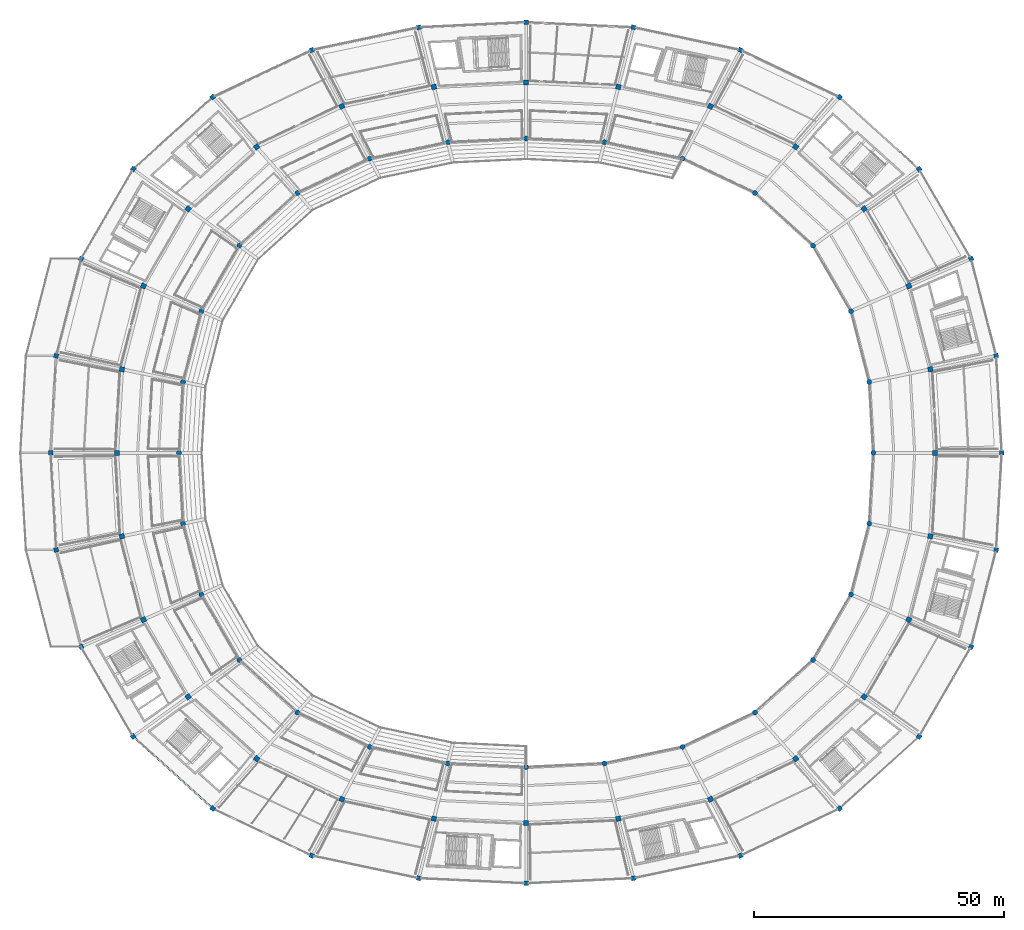
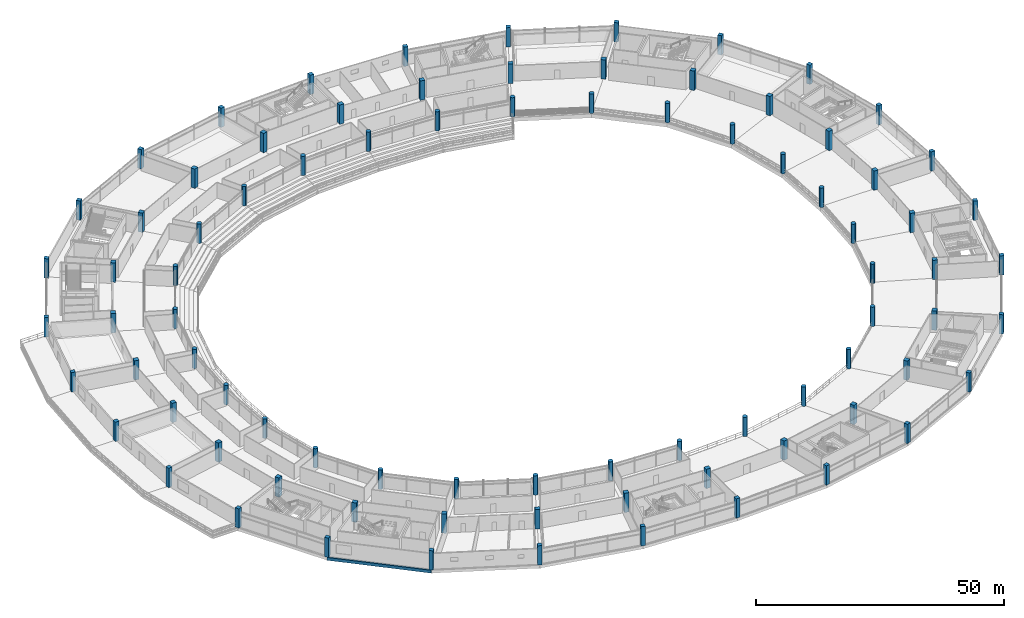
# One storey, part 1 of 171: 84 columns, 1 beam.
"""IFC4 building model written with IfcOpenShell, lengths in metres."""

import ifcopenshell
import ifcopenshell.guid

model = None  # the IFC model being written
_history = None  # IfcOwnerHistory: only IFC2X3 demands one
_inside = {}  # id of a spatial element -> (the spatial element, [elements in it])
_under = {}  # id of a project, library or spatial element -> (it, [spatial elements below it])
_declared = {}  # id of a project -> (the project, [libraries it declares])
_typed = {}  # id of a type object -> (the type object, [elements of that type])
_made_of = {}  # id of a material, layer set ... -> (it, [elements and type objects made of it])


def new_model(schema):
    """Start an empty IFC model of exactly this schema.

    Asked for "IFC4X3", IfcOpenShell would pick the latest addendum, in which some entities
    have other attributes; the version numbers below select the first issue.
    IFC2X3 requires an IfcOwnerHistory on every rooted entity: one is made here for all.
    """
    global model, _history
    if schema == "IFC4X3":
        model = ifcopenshell.file(schema_version=(4, 3, 0, 0))
    else:
        model = ifcopenshell.file(schema=schema)
    _inside.clear()
    _under.clear()
    _declared.clear()
    _typed.clear()
    _made_of.clear()
    _history = None
    if model.schema == "IFC2X3":
        org = make("IfcOrganization", Name="unknown")
        user = make(
            "IfcPersonAndOrganization",
            ThePerson=make("IfcPerson", FamilyName="unknown"),
            TheOrganization=org,
        )
        app = make(
            "IfcApplication",
            ApplicationDeveloper=org,
            Version="unknown",
            ApplicationFullName="unknown",
            ApplicationIdentifier="unknown",
        )
        _history = make(
            "IfcOwnerHistory",
            OwningUser=user,
            OwningApplication=app,
            ChangeAction="ADDED",
            CreationDate=0,
        )
    return model


def make(cls, **values):
    """One entity of the class cls with the attributes given. An attribute that is None is left unset."""
    return model.create_entity(
        cls, **{name: value for name, value in values.items() if value is not None}
    )


def rooted(cls, **values):
    """An entity with a GlobalId (a new one), such as an element, a storey or a relation."""
    return make(cls, GlobalId=ifcopenshell.guid.new(), OwnerHistory=_history, **values)


def si_unit(unit_type, name, prefix=None):
    """IfcSIUnit, for example si_unit("LENGTHUNIT", "METRE", prefix="MILLI")."""
    return make("IfcSIUnit", UnitType=unit_type, Prefix=prefix, Name=name)


def assignment(units):
    """IfcUnitAssignment: the units of a project."""
    return None if units is None else make("IfcUnitAssignment", Units=units)


def point(xyz):
    """IfcCartesianPoint."""
    return None if xyz is None else make("IfcCartesianPoint", Coordinates=xyz)


def direction(xyz):
    """IfcDirection."""
    return None if xyz is None else make("IfcDirection", DirectionRatios=xyz)


def frame(location, z_axis=None, x_axis=None):
    """IfcAxis2Placement3D, a coordinate frame: its origin and axes. An axis left out is left unset."""
    return make(
        "IfcAxis2Placement3D",
        Location=point(location),
        Axis=direction(z_axis),
        RefDirection=direction(x_axis),
    )


def frame_2d(location, x_axis=None):
    """IfcAxis2Placement2D, a coordinate frame in the plane: its origin and x axis."""
    return make(
        "IfcAxis2Placement2D", Location=point(location), RefDirection=direction(x_axis)
    )


def origin():
    """The frame at (0, 0, 0) with its axes left unset."""
    return frame((0.0, 0.0, 0.0))


def origin_2d():
    """The frame at (0, 0) in the plane with its x axis left unset."""
    return frame_2d((0.0, 0.0))


def place(relative_to, where):
    """IfcLocalPlacement: puts the frame where relative to a parent placement (None: the world)."""
    return make(
        "IfcLocalPlacement", PlacementRelTo=relative_to, RelativePlacement=where
    )


def context(
    kind, dimensions, precision=None, world=None, true_north=None, identifier=None
):
    """IfcGeometricRepresentationContext, for example the 3D "Model" context."""
    return make(
        "IfcGeometricRepresentationContext",
        ContextIdentifier=identifier,
        ContextType=kind,
        CoordinateSpaceDimension=dimensions,
        Precision=precision,
        WorldCoordinateSystem=world,
        TrueNorth=true_north,
    )


def subcontext(parent, identifier, kind, view, scale=None):
    """IfcGeometricRepresentationSubContext, for example "Body" below "Model"."""
    return make(
        "IfcGeometricRepresentationSubContext",
        ContextIdentifier=identifier,
        ContextType=kind,
        ParentContext=parent,
        TargetScale=scale,
        TargetView=view,
    )


def project(units=None, contexts=None):
    """IfcProject with its units and contexts."""
    return rooted(
        "IfcProject",
        Name="project",
        RepresentationContexts=contexts,
        UnitsInContext=assignment(units),
    )


def spatial(cls, under=None, at=None, **own):
    """A site, building, storey or space (cls), placed at a placement, below another one or the project."""
    s = rooted(cls, ObjectPlacement=at, **own)
    if under is not None:
        _under.setdefault(under.id(), (under, []))[1].append(s)
    return s


def profile(cls, at=None, kind="AREA", **sizes):
    """A parametric profile (cls). Its sizes go by their IFC names, for example OverallWidth=200.0."""
    return make(cls, ProfileType=kind, Position=at, **sizes)


def rectangle(**sizes):
    """IfcRectangleProfileDef."""
    return profile("IfcRectangleProfileDef", **sizes)


def circle(**sizes):
    """IfcCircleProfileDef."""
    return profile("IfcCircleProfileDef", **sizes)


def extrude(swept, where, along, depth):
    """IfcExtrudedAreaSolid: the profile swept, set in the frame where, extruded along a direction by depth."""
    return make(
        "IfcExtrudedAreaSolid",
        SweptArea=swept,
        Position=where,
        ExtrudedDirection=direction(along),
        Depth=depth,
    )


def shape(context_of_items, identifier, shape_type, items):
    """IfcShapeRepresentation: the items that make up one representation, for example the "Body"."""
    return make(
        "IfcShapeRepresentation",
        ContextOfItems=context_of_items,
        RepresentationIdentifier=identifier,
        RepresentationType=shape_type,
        Items=items,
    )


def material(Name=None, Category=None):
    """IfcMaterial."""
    return make("IfcMaterial", Name=Name, Category=Category)


def material_profile(
    of_material, cross_section, Name=None, Category=None, Priority=None
):
    """IfcMaterialProfile: a cross section and its material."""
    return make(
        "IfcMaterialProfile",
        Name=Name,
        Material=of_material,
        Profile=cross_section,
        Priority=Priority,
        Category=Category,
    )


def profile_set(profiles, Name=None, composite=None):
    """IfcMaterialProfileSet."""
    return make(
        "IfcMaterialProfileSet",
        Name=Name,
        MaterialProfiles=profiles,
        CompositeProfile=composite,
    )


def made_of(thing, what):
    """Note that an element or type object is made of a material, layer set ...; save() writes the relation."""
    if what is not None:
        _made_of.setdefault(what.id(), (what, []))[1].append(thing)
    return thing


def type_object(cls, material=None, **own):
    """A type object (cls), such as IfcWallType, which elements share."""
    return made_of(rooted(cls, **own), material)


def element(
    cls,
    number,
    at=None,
    inside=None,
    cuts=None,
    type_object=None,
    material=None,
    context=None,
    identifier="Body",
    shape_type=None,
    held_by="IfcProductDefinitionShape",
    body=None,
    shapes=None,
    **own,
):
    """One element of the class cls, such as IfcWall. Its Tag is "e" and its number.

    at: its placement. inside: the storey or other place that contains it. cuts: it is an
    opening in that element (IfcRelVoidsElement). A single representation is given by context,
    identifier, shape_type and body (its items); several are given by shapes. held_by: the class
    of the entity that holds the representations. save() writes the other relations.
    """
    e = rooted(cls, Tag="e%d" % number, ObjectPlacement=at, **own)
    if body is not None:
        shapes = [shape(context, identifier, shape_type, body)]
    if shapes is not None:
        e.Representation = make(held_by, Representations=shapes)
    if inside is not None:
        _inside.setdefault(inside.id(), (inside, []))[1].append(e)
    if cuts is not None:
        rooted(
            "IfcRelVoidsElement", RelatingBuildingElement=cuts, RelatedOpeningElement=e
        )
    if type_object is not None:
        _typed.setdefault(type_object.id(), (type_object, []))[1].append(e)
    return made_of(e, material)


def aggregate(whole, parts):
    """IfcRelAggregates: a whole, such as a stair, and the parts it consists of."""
    return rooted("IfcRelAggregates", RelatingObject=whole, RelatedObjects=parts)


def save(model, path):
    """Write the relations noted so far, then the file.

    IfcRelAggregates (storeys below a building ...), IfcRelContainedInSpatialStructure (elements
    in a storey), IfcRelDefinesByType, IfcRelAssociatesMaterial and IfcRelDeclares: one each for
    every whole, place, type object, material and project.
    """
    for whole, parts in _under.values():
        aggregate(whole, parts)
    for where, things in _inside.values():
        rooted(
            "IfcRelContainedInSpatialStructure",
            RelatedElements=things,
            RelatingStructure=where,
        )
    for kind, things in _typed.values():
        rooted("IfcRelDefinesByType", RelatedObjects=things, RelatingType=kind)
    for what, things in _made_of.values():
        rooted("IfcRelAssociatesMaterial", RelatedObjects=things, RelatingMaterial=what)
    for by, libraries in _declared.values():
        rooted("IfcRelDeclares", RelatingContext=by, RelatedDefinitions=libraries)
    model.write(path)


model = new_model("IFC4")

# Units and contexts
model_context = context("Model", 3, precision=1e-05, world=origin(), true_north=direction((0.0, 1.0)))
body_context = subcontext(model_context, "Body", "Model", "MODEL_VIEW")
ifc_project = project(units=[si_unit("LENGTHUNIT", "METRE"), si_unit("AREAUNIT", "SQUARE_METRE"), si_unit("VOLUMEUNIT", "CUBIC_METRE"), si_unit("PLANEANGLEUNIT", "RADIAN"), si_unit("MASSUNIT", "GRAM", prefix="KILO")], contexts=[model_context])

# Site, building, storey
site_placement = place(None, origin())
site = spatial("IfcSite", under=ifc_project, at=site_placement, CompositionType="ELEMENT")
building_placement = place(site_placement, origin())
building = spatial("IfcBuilding", under=site, at=building_placement, Name="Kazemori Nagisa Stadium", CompositionType="ELEMENT")
storey_placement = place(building_placement, frame((0.0, 0.0, 15.639892578125)))
storey = spatial("IfcBuildingStorey", under=building, at=storey_placement, Name="L03", CompositionType="ELEMENT", Elevation=15.639892578125)

# Columns
ifc_material = material(Name="Concrete C40/50 (Fc42)", Category="concrete")
ifc_material_profile_1 = material_profile(ifc_material, rectangle(XDim=1.0, YDim=1.0, at=origin_2d()), Name="RC-COL-1000x1000")
ifc_profile_set_1 = profile_set([ifc_material_profile_1], Name="Concrete C40/50 (Fc42)")
column_type_1 = type_object("IfcColumnType", Name="Column_C-RC1000", PredefinedType="COLUMN", material=ifc_profile_set_1)
for number, where, z_axis, x_axis, name in (
    (1, (204.699951171875, 102.0, 0.0), (0.0, 0.0, 1.0), (1.0, 0.0, 0.0), "Column C-RC1000 L03 R2-01"),
    (2, (203.737548828125, 118.68212890625, 0.0), (0.0, 0.0, 1.0), (0.974927912182, 0.222520933954, 0.0), "Column C-RC1000 L03 R2-02"),
    (3, (199.44091796875, 135.32470703125, 0.0), (0.0, 0.0, 1.0), (0.900968867905, 0.433883739113, 0.0), "Column C-RC1000 L03 R2-03"),
    (4, (190.506103515625, 150.734130859375, 0.0), (0.0, 0.0, 1.0), (0.781831482473, 0.623489801853, 0.0), "Column C-RC1000 L03 R2-04"),
    (5, (176.834228515625, 163.11083984375, 0.0), (0.0, 0.0, 1.0), (0.623489801853, 0.781831482473, 0.0), "Column C-RC1000 L03 R2-05"),
    (6, (159.81201171875, 171.19921875, 0.0), (0.0, 0.0, 1.0), (0.433883739113, 0.900968867905, 0.0), "Column C-RC1000 L03 R2-06"),
    (7, (141.427734375, 175.088623046875, 0.0), (0.0, 0.0, 1.0), (0.222520933954, 0.974927912182, 0.0), "Column C-RC1000 L03 R2-07"),
    (8, (123.0, 175.9599609375, 0.0), (0.0, 0.0, 1.0), (0.0, 1.0, 0.0), "Column C-RC1000 L03 R2-08"),
    (9, (104.572265625, 175.088623046875, 0.0), (0.0, 0.0, 1.0), (-0.222520933954, 0.974927912182, 0.0), "Column C-RC1000 L03 R2-09"),
    (10, (86.18798828125, 171.19921875, 0.0), (0.0, 0.0, 1.0), (-0.433883739113, 0.900968867905, 0.0), "Column C-RC1000 L03 R2-10"),
    (11, (69.165771484375, 163.11083984375, 0.0), (0.0, 0.0, 1.0), (-0.623489801853, 0.781831482473, 0.0), "Column C-RC1000 L03 R2-11"),
    (12, (55.493896484375, 150.734130859375, 0.0), (0.0, 0.0, 1.0), (-0.781831482473, 0.623489801853, 0.0), "Column C-RC1000 L03 R2-12"),
    (13, (46.55908203125, 135.32470703125, 0.0), (0.0, 0.0, 1.0), (-0.900968867905, 0.433883739113, 0.0), "Column C-RC1000 L03 R2-13"),
    (14, (42.262451171875, 118.68212890625, 0.0), (0.0, 0.0, 1.0), (-0.974927912182, 0.222520933954, 0.0), "Column C-RC1000 L03 R2-14"),
    (15, (41.300048828125, 102.0, 0.0), (0.0, 0.0, 1.0), (-1.0, 0.0, 0.0), "Column C-RC1000 L03 R2-15"),
    (16, (42.262451171875, 85.31787109375, 0.0), (0.0, 0.0, 1.0), (-0.974927912182, -0.222520933954, 0.0), "Column C-RC1000 L03 R2-16"),
    (17, (46.55908203125, 68.67529296875, 0.0), (0.0, 0.0, 1.0), (-0.900968867905, -0.433883739113, 0.0), "Column C-RC1000 L03 R2-17"),
    (18, (55.493896484375, 53.265869140625, 0.0), (0.0, 0.0, 1.0), (-0.781831482473, -0.623489801853, 0.0), "Column C-RC1000 L03 R2-18"),
    (19, (69.165771484375, 40.88916015625, 0.0), (0.0, 0.0, 1.0), (-0.623489801853, -0.781831482473, 0.0), "Column C-RC1000 L03 R2-19"),
    (20, (86.18798828125, 32.80078125, 0.0), (0.0, 0.0, 1.0), (-0.433883739113, -0.900968867905, 0.0), "Column C-RC1000 L03 R2-20"),
    (21, (104.572265625, 28.911376953125, 0.0), (0.0, 0.0, 1.0), (-0.222520933954, -0.974927912182, 0.0), "Column C-RC1000 L03 R2-21"),
    (22, (123.0, 28.0400390625, 0.0), (0.0, 0.0, 1.0), (0.0, -1.0, 0.0), "Column C-RC1000 L03 R2-22"),
    (23, (141.427734375, 28.911376953125, 0.0), (0.0, 0.0, 1.0), (0.222520933954, -0.974927912182, 0.0), "Column C-RC1000 L03 R2-23"),
    (24, (159.81201171875, 32.80078125, 0.0), (0.0, 0.0, 1.0), (0.433883739113, -0.900968867905, 0.0), "Column C-RC1000 L03 R2-24"),
    (25, (176.834228515625, 40.88916015625, 0.0), (0.0, 0.0, 1.0), (0.623489801853, -0.781831482473, 0.0), "Column C-RC1000 L03 R2-25"),
    (26, (190.506103515625, 53.265869140625, 0.0), (0.0, 0.0, 1.0), (0.781831482473, -0.623489801853, 0.0), "Column C-RC1000 L03 R2-26"),
    (27, (199.44091796875, 68.67529296875, 0.0), (0.0, 0.0, 1.0), (0.900968867905, -0.433883739113, 0.0), "Column C-RC1000 L03 R2-27"),
    (28, (203.737548828125, 85.31787109375, 0.0), (0.0, 0.0, 1.0), (0.974927912182, -0.222520933954, 0.0), "Column C-RC1000 L03 R2-28"),
):
    element("IfcColumn", number, at=place(storey_placement, frame(where, z_axis=z_axis, x_axis=x_axis)), inside=storey, type_object=column_type_1, Name=name, PredefinedType="COLUMN", context=body_context, shape_type="SweptSolid", body=[
        extrude(rectangle(XDim=1.0, YDim=1.0, at=origin_2d()), origin(), (0.0, 0.0, 1.0), 4.760009765625),
    ])
ifc_material_profile_2 = material_profile(ifc_material, rectangle(XDim=0.89990234375, YDim=0.89990234375, at=origin_2d()), Name="RC-COL-900x900")
ifc_profile_set_2 = profile_set([ifc_material_profile_2], Name="Concrete C40/50 (Fc42)")
column_type_2 = type_object("IfcColumnType", Name="Column_C-RC900", PredefinedType="COLUMN", material=ifc_profile_set_2)
for number, where, z_axis, x_axis, name in (
    (29, (218.0, 102.0, 0.0), (0.0, 0.0, 1.0), (1.0, 0.0, 0.0), "Column C-RC900 L03 R3-01"),
    (30, (216.880859375, 121.397705078125, 0.0), (0.0, 0.0, 1.0), (0.974927912182, 0.222520933954, 0.0), "Column C-RC900 L03 R3-02"),
    (31, (211.885009765625, 140.74951171875, 0.0), (0.0, 0.0, 1.0), (0.900968867905, 0.433883739113, 0.0), "Column C-RC900 L03 R3-03"),
    (32, (201.495361328125, 158.667724609375, 0.0), (0.0, 0.0, 1.0), (0.781831482473, 0.623489801853, 0.0), "Column C-RC900 L03 R3-04"),
    (33, (185.597900390625, 173.05908203125, 0.0), (0.0, 0.0, 1.0), (0.623489801853, 0.781831482473, 0.0), "Column C-RC900 L03 R3-05"),
    (34, (165.8046875, 182.46435546875, 0.0), (0.0, 0.0, 1.0), (0.433883739113, 0.900968867905, 0.0), "Column C-RC900 L03 R3-06"),
    (35, (144.427734375, 186.98681640625, 0.0), (0.0, 0.0, 1.0), (0.222520933954, 0.974927912182, 0.0), "Column C-RC900 L03 R3-07"),
    (36, (123.0, 188.0, 0.0), (0.0, 0.0, 1.0), (0.0, 1.0, 0.0), "Column C-RC900 L03 R3-08"),
    (37, (101.572265625, 186.98681640625, 0.0), (0.0, 0.0, 1.0), (-0.222520933954, 0.974927912182, 0.0), "Column C-RC900 L03 R3-09"),
    (38, (80.1953125, 182.46435546875, 0.0), (0.0, 0.0, 1.0), (-0.433883739113, 0.900968867905, 0.0), "Column C-RC900 L03 R3-10"),
    (39, (60.402099609375, 173.05908203125, 0.0), (0.0, 0.0, 1.0), (-0.623489801853, 0.781831482473, 0.0), "Column C-RC900 L03 R3-11"),
    (40, (44.504638671875, 158.667724609375, 0.0), (0.0, 0.0, 1.0), (-0.781831482473, 0.623489801853, 0.0), "Column C-RC900 L03 R3-12"),
    (41, (34.114990234375, 140.74951171875, 0.0), (0.0, 0.0, 1.0), (-0.900968867905, 0.433883739113, 0.0), "Column C-RC900 L03 R3-13"),
    (42, (29.119140625, 121.397705078125, 0.0), (0.0, 0.0, 1.0), (-0.974927912182, 0.222520933954, 0.0), "Column C-RC900 L03 R3-14"),
    (43, (28.0, 102.0, 0.0), (0.0, 0.0, 1.0), (-1.0, 0.0, 0.0), "Column C-RC900 L03 R3-15"),
    (44, (29.119140625, 82.602294921875, 0.0), (0.0, 0.0, 1.0), (-0.974927912182, -0.222520933954, 0.0), "Column C-RC900 L03 R3-16"),
    (45, (34.114990234375, 63.25048828125, 0.0), (0.0, 0.0, 1.0), (-0.900968867905, -0.433883739113, 0.0), "Column C-RC900 L03 R3-17"),
    (46, (44.504638671875, 45.332275390625, 0.0), (0.0, 0.0, 1.0), (-0.781831482473, -0.623489801853, 0.0), "Column C-RC900 L03 R3-18"),
    (47, (60.402099609375, 30.94091796875, 0.0), (0.0, 0.0, 1.0), (-0.623489801853, -0.781831482473, 0.0), "Column C-RC900 L03 R3-19"),
    (48, (80.1953125, 21.53564453125, 0.0), (0.0, 0.0, 1.0), (-0.433883739113, -0.900968867905, 0.0), "Column C-RC900 L03 R3-20"),
    (49, (101.572265625, 17.01318359375, 0.0), (0.0, 0.0, 1.0), (-0.222520933954, -0.974927912182, 0.0), "Column C-RC900 L03 R3-21"),
    (50, (123.0, 16.0, 0.0), (0.0, 0.0, 1.0), (0.0, -1.0, 0.0), "Column C-RC900 L03 R3-22"),
    (51, (144.427734375, 17.01318359375, 0.0), (0.0, 0.0, 1.0), (0.222520933954, -0.974927912182, 0.0), "Column C-RC900 L03 R3-23"),
    (52, (165.8046875, 21.53564453125, 0.0), (0.0, 0.0, 1.0), (0.433883739113, -0.900968867905, 0.0), "Column C-RC900 L03 R3-24"),
    (53, (185.597900390625, 30.94091796875, 0.0), (0.0, 0.0, 1.0), (0.623489801853, -0.781831482473, 0.0), "Column C-RC900 L03 R3-25"),
    (54, (201.495361328125, 45.332275390625, 0.0), (0.0, 0.0, 1.0), (0.781831482473, -0.623489801853, 0.0), "Column C-RC900 L03 R3-26"),
    (55, (211.885009765625, 63.25048828125, 0.0), (0.0, 0.0, 1.0), (0.900968867905, -0.433883739113, 0.0), "Column C-RC900 L03 R3-27"),
    (56, (216.880859375, 82.602294921875, 0.0), (0.0, 0.0, 1.0), (0.974927912182, -0.222520933954, 0.0), "Column C-RC900 L03 R3-28"),
):
    element("IfcColumn", number, at=place(storey_placement, frame(where, z_axis=z_axis, x_axis=x_axis)), inside=storey, type_object=column_type_2, Name=name, PredefinedType="COLUMN", context=body_context, shape_type="SweptSolid", body=[
        extrude(rectangle(XDim=0.89990234375, YDim=0.89990234375, at=origin_2d()), origin(), (0.0, 0.0, 1.0), 4.760009765625),
    ])
ifc_material_profile_3 = material_profile(ifc_material, circle(Radius=0.5, at=origin_2d()), Name="RC-COL-D1000")
ifc_profile_set_3 = profile_set([ifc_material_profile_3], Name="Concrete C40/50 (Fc42)")
column_type_3 = type_object("IfcColumnType", Name="Column_C-RCD1000", PredefinedType="COLUMN", material=ifc_profile_set_3)
for number, where, z_axis, x_axis, name in (
    (57, (192.35009765625, 102.0, 0.0), (0.0, 0.0, 1.0), (1.0, 0.0, 0.0), "Column C-RCD1000 L03 R1-01"),
    (58, (191.532958984375, 116.160400390625, 0.0), (0.0, 0.0, 1.0), (0.974927912182, 0.222520933954, 0.0), "Column C-RCD1000 L03 R1-02"),
    (59, (187.885986328125, 130.287109375, 0.0), (0.0, 0.0, 1.0), (0.900968867905, 0.433883739113, 0.0), "Column C-RCD1000 L03 R1-03"),
    (60, (180.301513671875, 143.367431640625, 0.0), (0.0, 0.0, 1.0), (0.781831482473, 0.623489801853, 0.0), "Column C-RCD1000 L03 R1-04"),
    (61, (168.696533203125, 153.873046875, 0.0), (0.0, 0.0, 1.0), (0.623489801853, 0.781831482473, 0.0), "Column C-RCD1000 L03 R1-05"),
    (62, (154.24755859375, 160.739013671875, 0.0), (0.0, 0.0, 1.0), (0.433883739113, 0.900968867905, 0.0), "Column C-RCD1000 L03 R1-06"),
    (63, (138.64208984375, 164.040283203125, 0.0), (0.0, 0.0, 1.0), (0.222520933954, 0.974927912182, 0.0), "Column C-RCD1000 L03 R1-07"),
    (64, (123.0, 164.780029296875, 0.0), (0.0, 0.0, 1.0), (0.0, 1.0, 0.0), "Column C-RCD1000 L03 R1-08"),
    (65, (107.35791015625, 164.040283203125, 0.0), (0.0, 0.0, 1.0), (-0.222520933954, 0.974927912182, 0.0), "Column C-RCD1000 L03 R1-09"),
    (66, (91.75244140625, 160.739013671875, 0.0), (0.0, 0.0, 1.0), (-0.433883739113, 0.900968867905, 0.0), "Column C-RCD1000 L03 R1-10"),
    (67, (77.303466796875, 153.873046875, 0.0), (0.0, 0.0, 1.0), (-0.623489801853, 0.781831482473, 0.0), "Column C-RCD1000 L03 R1-11"),
    (68, (65.698486328125, 143.367431640625, 0.0), (0.0, 0.0, 1.0), (-0.781831482473, 0.623489801853, 0.0), "Column C-RCD1000 L03 R1-12"),
    (69, (58.114013671875, 130.287109375, 0.0), (0.0, 0.0, 1.0), (-0.900968867905, 0.433883739113, 0.0), "Column C-RCD1000 L03 R1-13"),
    (70, (54.467041015625, 116.160400390625, 0.0), (0.0, 0.0, 1.0), (-0.974927912182, 0.222520933954, 0.0), "Column C-RCD1000 L03 R1-14"),
    (71, (53.64990234375, 102.0, 0.0), (0.0, 0.0, 1.0), (-1.0, 0.0, 0.0), "Column C-RCD1000 L03 R1-15"),
    (72, (54.467041015625, 87.839599609375, 0.0), (0.0, 0.0, 1.0), (-0.974927912182, -0.222520933954, 0.0), "Column C-RCD1000 L03 R1-16"),
    (73, (58.114013671875, 73.712890625, 0.0), (0.0, 0.0, 1.0), (-0.900968867905, -0.433883739113, 0.0), "Column C-RCD1000 L03 R1-17"),
    (74, (65.698486328125, 60.632568359375, 0.0), (0.0, 0.0, 1.0), (-0.781831482473, -0.623489801853, 0.0), "Column C-RCD1000 L03 R1-18"),
    (75, (77.303466796875, 50.126953125, 0.0), (0.0, 0.0, 1.0), (-0.623489801853, -0.781831482473, 0.0), "Column C-RCD1000 L03 R1-19"),
    (76, (91.75244140625, 43.260986328125, 0.0), (0.0, 0.0, 1.0), (-0.433883739113, -0.900968867905, 0.0), "Column C-RCD1000 L03 R1-20"),
    (77, (107.35791015625, 39.959716796875, 0.0), (0.0, 0.0, 1.0), (-0.222520933954, -0.974927912182, 0.0), "Column C-RCD1000 L03 R1-21"),
    (78, (123.0, 39.219970703125, 0.0), (0.0, 0.0, 1.0), (0.0, -1.0, 0.0), "Column C-RCD1000 L03 R1-22"),
    (79, (138.64208984375, 39.959716796875, 0.0), (0.0, 0.0, 1.0), (0.222520933954, -0.974927912182, 0.0), "Column C-RCD1000 L03 R1-23"),
    (80, (154.24755859375, 43.260986328125, 0.0), (0.0, 0.0, 1.0), (0.433883739113, -0.900968867905, 0.0), "Column C-RCD1000 L03 R1-24"),
    (81, (168.696533203125, 50.126953125, 0.0), (0.0, 0.0, 1.0), (0.623489801853, -0.781831482473, 0.0), "Column C-RCD1000 L03 R1-25"),
    (82, (180.301513671875, 60.632568359375, 0.0), (0.0, 0.0, 1.0), (0.781831482473, -0.623489801853, 0.0), "Column C-RCD1000 L03 R1-26"),
    (83, (187.885986328125, 73.712890625, 0.0), (0.0, 0.0, 1.0), (0.900968867905, -0.433883739113, 0.0), "Column C-RCD1000 L03 R1-27"),
    (84, (191.532958984375, 87.839599609375, 0.0), (0.0, 0.0, 1.0), (0.974927912182, -0.222520933954, 0.0), "Column C-RCD1000 L03 R1-28"),
):
    element("IfcColumn", number, at=place(storey_placement, frame(where, z_axis=z_axis, x_axis=x_axis)), inside=storey, type_object=column_type_3, Name=name, PredefinedType="COLUMN", context=body_context, shape_type="SweptSolid", body=[
        extrude(circle(Radius=0.5, at=origin_2d()), origin(), (0.0, 0.0, 1.0), 4.760009765625),
    ])

# Beam
ifc_material_profile_4 = material_profile(ifc_material, rectangle(XDim=0.35009765625, YDim=0.699951171875, at=origin_2d()), Name="RC-SP-350x700")
ifc_profile_set_4 = profile_set([ifc_material_profile_4], Name="Concrete C40/50 (Fc42)")
beam_type = type_object("IfcBeamType", Name="Beam_BS-RC350X700", PredefinedType="SPANDREL", material=ifc_profile_set_4)
beam_placement = place(storey_placement, frame((44.504638671875, 45.332275390625, -0.60986328125), z_axis=(0.741351531326, -0.671116910084, 0.0), x_axis=(0.671116910084, 0.741351531326, 0.0)))
element("IfcBeam", 85, at=beam_placement, inside=storey, type_object=beam_type, Name="Ring girder BS-RC350X700 L03 R3-18", PredefinedType="SPANDREL", context=body_context, shape_type="SweptSolid", body=[
    extrude(rectangle(XDim=0.35009765625, YDim=0.699951171875, at=origin_2d()), origin(), (0.0, 0.0, 1.0), 21.44384765625),
])

save(model, "model.ifc")
